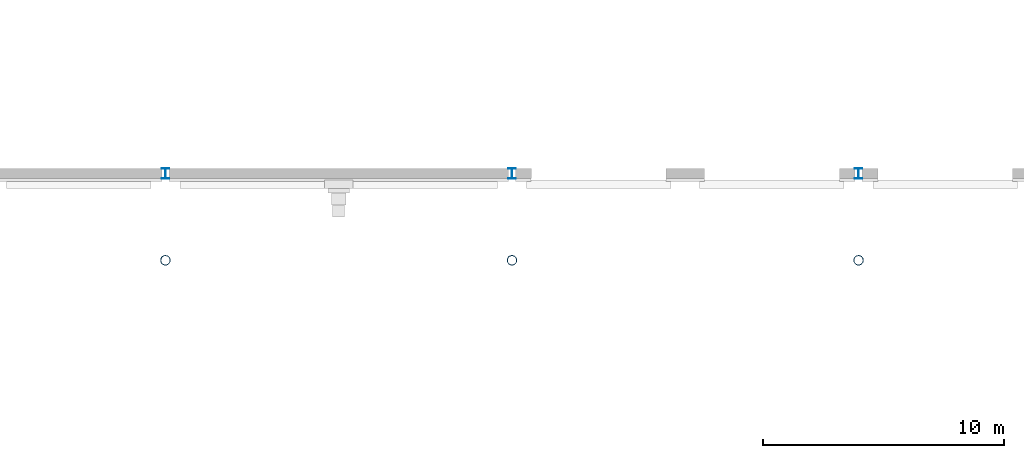
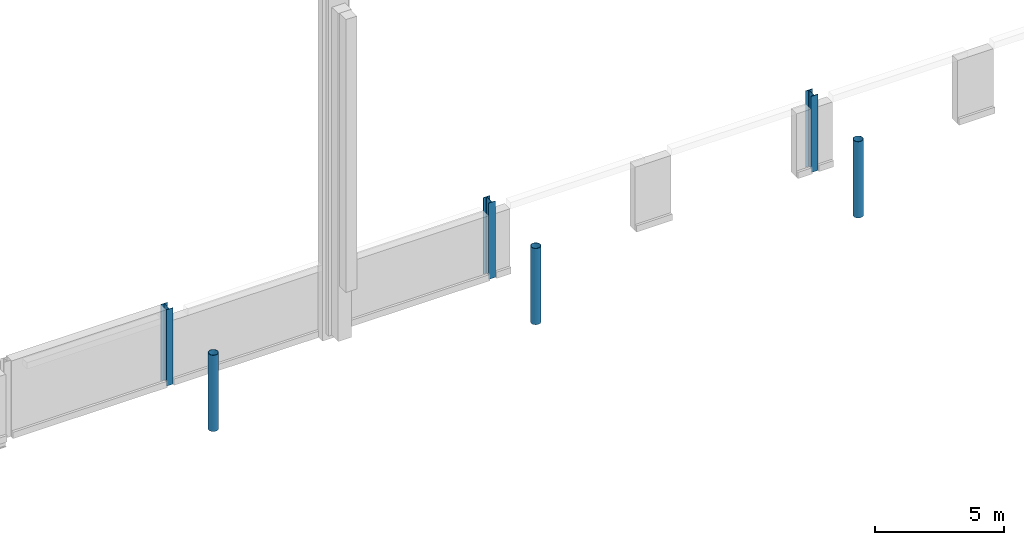
# One storey, part 6 of 90: 6 columns.
"""IFC4 building model written with IfcOpenShell, lengths in metres."""

from ifc_helpers import new_model, si_unit, direction, frame, origin, origin_2d, place, context, subcontext, project, spatial, hollow_circle, i_section, extrude, material, material_profile, profile_set, type_object, element, save


model = new_model("IFC4")

# Units and contexts
model_context = context("Model", 3, precision=1e-05, world=origin(), true_north=direction((0.0, 1.0)))
body_context = subcontext(model_context, "Body", "Model", "MODEL_VIEW")
ifc_project = project(units=[si_unit("LENGTHUNIT", "METRE"), si_unit("AREAUNIT", "SQUARE_METRE"), si_unit("VOLUMEUNIT", "CUBIC_METRE"), si_unit("PLANEANGLEUNIT", "RADIAN"), si_unit("MASSUNIT", "GRAM", prefix="KILO")], contexts=[model_context])

# Site, building, storey
site_placement = place(None, origin())
site = spatial("IfcSite", under=ifc_project, at=site_placement, CompositionType="ELEMENT")
building_placement = place(site_placement, origin())
building = spatial("IfcBuilding", under=site, at=building_placement, Name="Kupolbacken Congress Centre", CompositionType="ELEMENT")
storey_placement = place(building_placement, frame((0.0, 0.0, 3.60009765625)))
storey = spatial("IfcBuildingStorey", under=building, at=storey_placement, Name="L01", CompositionType="ELEMENT", Elevation=3.60009765625)

# Columns
ifc_material_1 = material(Name="Steel S355", Category="steel")
ifc_material_profile_1 = material_profile(ifc_material_1, i_section(OverallWidth=0.300048828125, OverallDepth=0.43994140625, WebThickness=0.011474609375, FlangeThickness=0.02099609375, FilletRadius=0.027099609375, at=origin_2d()), Name="HEA 450")
ifc_profile_set_1 = profile_set([ifc_material_profile_1], Name="Steel S355")
column_type_1 = type_object("IfcColumnType", Name="C07 column HEA 450", PredefinedType="COLUMN", material=ifc_profile_set_1)
for number, where, z_axis, x_axis, name in (
    (1, (93.60009765625, 43.199951171875, 0.0), (0.0, 0.0, 1.0), (1.0, 0.0, 0.0), "S/col/C-H-T1S/L01"),
    (2, (108.0, 43.199951171875, 0.0), (0.0, 0.0, 1.0), (1.0, 0.0, 0.0), "S/col/C-H-T2S/L01"),
    (3, (122.39990234375, 43.199951171875, 0.0), (0.0, 0.0, 1.0), (1.0, 0.0, 0.0), "S/col/C-H-T3S/L01"),
):
    element("IfcColumn", number, at=place(storey_placement, frame(where, z_axis=z_axis, x_axis=x_axis)), inside=storey, type_object=column_type_1, Name=name, PredefinedType="COLUMN", context=body_context, shape_type="SweptSolid", body=[
        extrude(i_section(OverallWidth=0.300048828125, OverallDepth=0.43994140625, WebThickness=0.011474609375, FlangeThickness=0.02099609375, FilletRadius=0.027099609375, at=origin_2d()), origin(), (0.0, 0.0, 1.0), 3.599853515625),
    ])
ifc_material_2 = material(Name="Steel S355", Category="steel")
ifc_material_profile_2 = material_profile(ifc_material_2, hollow_circle(Radius=0.203125, WallThickness=0.01611328125, at=origin_2d()), Name="CHS 406.4 x 16")
ifc_profile_set_2 = profile_set([ifc_material_profile_2], Name="Steel S355")
column_type_2 = type_object("IfcColumnType", Name="C15 roof mast CHS 406.4 x 16", PredefinedType="COLUMN", material=ifc_profile_set_2)
for number, where, z_axis, x_axis, name in (
    (4, (93.60009765625, 39.60009765625, 0.0), (0.0, 0.0, 1.0), (1.0, 0.0, 0.0), "Roof mast M1S"),
    (5, (108.0, 39.60009765625, 0.0), (0.0, 0.0, 1.0), (1.0, 0.0, 0.0), "Roof mast M2S"),
    (6, (122.39990234375, 39.60009765625, 0.0), (0.0, 0.0, 1.0), (1.0, 0.0, 0.0), "Roof mast M3S"),
):
    element("IfcColumn", number, at=place(storey_placement, frame(where, z_axis=z_axis, x_axis=x_axis)), inside=storey, type_object=column_type_2, Name=name, PredefinedType="COLUMN", context=body_context, shape_type="SweptSolid", body=[
        extrude(hollow_circle(Radius=0.203125, WallThickness=0.01611328125, at=origin_2d()), origin(), (0.0, 0.0, 1.0), 3.599853515625),
    ])

save(model, "model.ifc")
